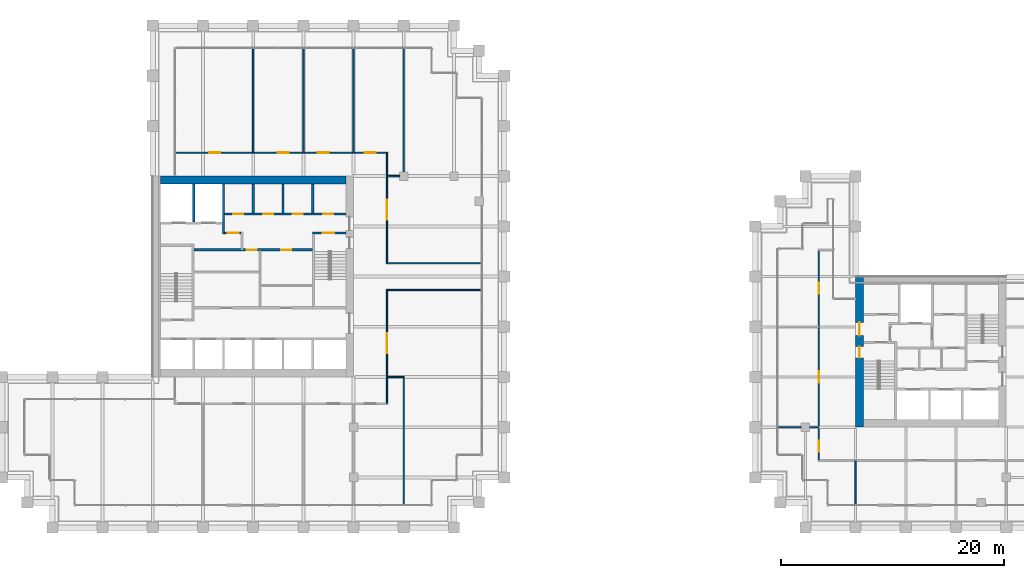
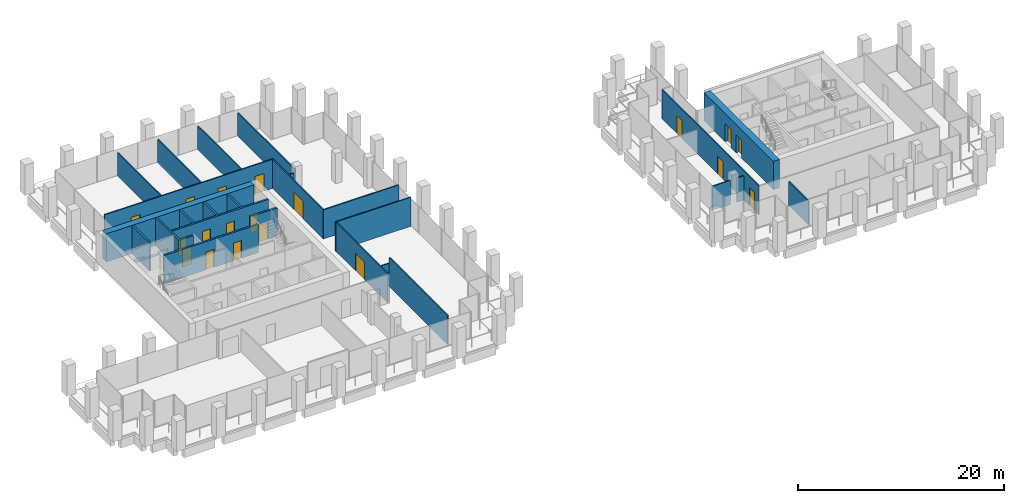
# One storey, part 42 of 46: 27 walls, 19 doors, 19 openings.
"""IFC4 building model written with IfcOpenShell, lengths in metres."""

from ifc_helpers import new_model, si_unit, direction, frame, frame_2d, origin, place, context, subcontext, project, spatial, rectangle, extrude, material, layer, layer_set, type_object, element, fill, save


model = new_model("IFC4")

# Units and contexts
model_context = context("Model", 3, precision=1e-05, world=origin(), true_north=direction((0.0, 1.0)))
body_context = subcontext(model_context, "Body", "Model", "MODEL_VIEW")
ifc_project = project(units=[si_unit("LENGTHUNIT", "METRE"), si_unit("AREAUNIT", "SQUARE_METRE"), si_unit("VOLUMEUNIT", "CUBIC_METRE"), si_unit("PLANEANGLEUNIT", "RADIAN"), si_unit("MASSUNIT", "GRAM", prefix="KILO")], contexts=[model_context])

# Site, building, storey
site_placement = place(None, origin())
site = spatial("IfcSite", under=ifc_project, at=site_placement, CompositionType="ELEMENT")
building_placement = place(site_placement, origin())
building = spatial("IfcBuilding", under=site, at=building_placement, Name="Altepetl Exchange Towers", CompositionType="ELEMENT")
storey_placement = place(building_placement, frame((0.0, 0.0, 124.39990234375)))
storey = spatial("IfcBuildingStorey", under=building, at=storey_placement, Name="L30", CompositionType="ELEMENT", Elevation=124.39990234375)

# Wall
ifc_material_1 = material(Name="Concrete C70/85", Category="concrete")
ifc_layer_1 = layer(ifc_material_1, 0.699951171875)
ifc_layer_set_1 = layer_set([ifc_layer_1], Name="Concrete C70/85")
wall_type_1 = type_object("IfcWallType", Name="Core wall 700 reinforced concrete", PredefinedType="SHEAR", material=ifc_layer_set_1)
wall_1_placement = place(storey_placement, frame((41.199951171875, 58.14990234375, 0.0)))
element("IfcWall", 1, at=wall_1_placement, inside=storey, type_object=wall_type_1, Name="wall:A:L30:K-coreN", PredefinedType="SHEAR", context=body_context, shape_type="SweptSolid", body=[
    extrude(rectangle(XDim=16.60009765625, YDim=0.699951171875, at=frame_2d((8.300048828125, 0.0))), origin(), (0.0, 0.0, 1.0), 3.35009765625),
])

# Wall, openings, doors
wall_2_placement = place(storey_placement, frame((103.85009765625, 36.0, 0.0), z_axis=(0.0, 0.0, 1.0), x_axis=(0.0, 1.0, 0.0)))
wall_2 = element("IfcWall", 2, at=wall_2_placement, inside=storey, type_object=wall_type_1, Name="wall:B:L30:K-coreW", PredefinedType="SHEAR", context=body_context, shape_type="SweptSolid", body=[
    extrude(rectangle(XDim=13.5, YDim=0.699951171875, at=frame_2d((6.75, 0.0))), origin(), (0.0, 0.0, 1.0), 3.35009765625),
])
opening_1_placement = place(wall_2_placement, frame((8.199951171875, 0.0, 0.0)))
opening_1 = element("IfcOpeningElement", 3, at=opening_1_placement, cuts=wall_2, Name="Opening L30.B60", PredefinedType="OPENING", context=body_context, shape_type="SweptSolid", body=[
    extrude(rectangle(XDim=1.199951171875, YDim=2.10009765625, at=frame_2d((0.60009765625, 1.050048828125))), frame((0.0, 0.35986328125, 0.0), z_axis=(0.0, -1.0, 0.0), x_axis=(1.0, 0.0, 0.0)), (0.0, 0.0, 1.0), 0.719970703125),
])
opening_2_placement = place(wall_2_placement, frame((6.22509765625, 0.0, 0.0)))
opening_2 = element("IfcOpeningElement", 4, at=opening_2_placement, cuts=wall_2, Name="Opening L30.B63", PredefinedType="OPENING", context=body_context, shape_type="SweptSolid", body=[
    extrude(rectangle(XDim=1.0, YDim=2.10009765625, at=frame_2d((0.5, 1.050048828125))), frame((0.0, 0.35986328125, 0.0), z_axis=(0.0, -1.0, 0.0), x_axis=(1.0, 0.0, 0.0)), (0.0, 0.0, 1.0), 0.719970703125),
])
ifc_material_2 = material(Name="Steel and timber fire door", Category="steel")
door_type_1 = type_object("IfcDoorType", Name="Fire door 1000 x 2100 stair and lobby", OperationType="SINGLE_SWING_LEFT", PredefinedType="DOOR", material=ifc_material_2)
door_1_placement = place(opening_2_placement, frame((1.0, 0.0, 0.0), x_axis=(-1.0, 0.0, 0.0)))
door_1 = element("IfcDoor", 5, at=door_1_placement, inside=storey, type_object=door_type_1, Name="door:B:L30:K-dS1x", OperationType="SINGLE_SWING_RIGHT", OverallHeight=2.10009765625, OverallWidth=1.0, PredefinedType="DOOR", context=body_context, shape_type="SweptSolid", body=[
    extrude(rectangle(XDim=1.0, YDim=2.10009765625, at=frame_2d((0.5, 1.050048828125))), frame((0.0, 0.02490234375, 0.0), z_axis=(0.0, -1.0, 0.0), x_axis=(1.0, 0.0, 0.0)), (0.0, 0.0, 1.0), 0.050048828125),
])
fill(opening_2, door_1)
door_type_2 = type_object("IfcDoorType", Name="Fire door 1200 x 2100 lobby entry", OperationType="SINGLE_SWING_LEFT", PredefinedType="DOOR", material=ifc_material_2)
door_2_placement = place(opening_1_placement, frame((1.199951171875, 0.0, 0.0), x_axis=(-1.0, 0.0, 0.0)))
door_2 = element("IfcDoor", 6, at=door_2_placement, inside=storey, type_object=door_type_2, Name="door:B:L30:K-dLNW", OperationType="SINGLE_SWING_RIGHT", OverallHeight=2.10009765625, OverallWidth=1.199951171875, PredefinedType="DOOR", context=body_context, shape_type="SweptSolid", body=[
    extrude(rectangle(XDim=1.199951171875, YDim=2.10009765625, at=frame_2d((0.60009765625, 1.050048828125))), frame((0.0, 0.02490234375, 0.0), z_axis=(0.0, -1.0, 0.0), x_axis=(1.0, 0.0, 0.0)), (0.0, 0.0, 1.0), 0.050048828125),
])
fill(opening_1, door_2)

# Wall, opening, door
ifc_material_3 = material(Name="Concrete blockwork", Category="masonry")
ifc_layer_2 = layer(ifc_material_3, 0.199951171875)
ifc_layer_set_2 = layer_set([ifc_layer_2], Name="Concrete blockwork")
wall_type_2 = type_object("IfcWallType", Name="Lobby wall 200 blockwork", PredefinedType="PARTITIONING", material=ifc_layer_set_2)
wall_3_placement = place(storey_placement, frame((46.933349609375, 53.39990234375, 0.0)))
wall_3 = element("IfcWall", 7, at=wall_3_placement, inside=storey, type_object=wall_type_2, Name="wall:A:L30:K-ffN", PredefinedType="PARTITIONING", context=body_context, shape_type="SweptSolid", body=[
    extrude(rectangle(XDim=1.466552734375, YDim=0.199951171875, at=frame_2d((0.7333984375, 0.0))), origin(), (0.0, 0.0, 1.0), 3.35009765625),
])
opening_3_placement = place(wall_3_placement, frame((0.2666015625, 0.0, 0.0)))
opening_3 = element("IfcOpeningElement", 8, at=opening_3_placement, cuts=wall_3, Name="Opening L30.A65", PredefinedType="OPENING", context=body_context, shape_type="SweptSolid", body=[
    extrude(rectangle(XDim=1.0, YDim=2.10009765625, at=frame_2d((0.5, 1.050048828125))), frame((0.0, 0.10986328125, 0.0), z_axis=(0.0, -1.0, 0.0), x_axis=(1.0, 0.0, 0.0)), (0.0, 0.0, 1.0), 0.219970703125),
])
door_3_placement = place(opening_3_placement, frame((1.0, 0.0, 0.0), x_axis=(-1.0, 0.0, 0.0)))
door_3 = element("IfcDoor", 9, at=door_3_placement, inside=storey, type_object=door_type_1, Name="door:A:L30:K-dffN", OperationType="SINGLE_SWING_RIGHT", OverallHeight=2.10009765625, OverallWidth=1.0, PredefinedType="DOOR", context=body_context, shape_type="SweptSolid", body=[
    extrude(rectangle(XDim=1.0, YDim=2.10009765625, at=frame_2d((0.5, 1.050048828125))), frame((0.0, 0.02490234375, 0.0), z_axis=(0.0, -1.0, 0.0), x_axis=(1.0, 0.0, 0.0)), (0.0, 0.0, 1.0), 0.050048828125),
])
fill(opening_3, door_3)

# Wall, openings, doors
wall_4_placement = place(storey_placement, frame((44.199951171875, 51.89990234375, 0.0)))
wall_4 = element("IfcWall", 10, at=wall_4_placement, inside=storey, type_object=wall_type_2, Name="wall:A:L30:K-zoneN", PredefinedType="PARTITIONING", context=body_context, shape_type="SweptSolid", body=[
    extrude(rectangle(XDim=10.60009765625, YDim=0.199951171875, at=frame_2d((5.300048828125, 0.0))), origin(), (0.0, 0.0, 1.0), 3.35009765625),
])
opening_4_placement = place(wall_4_placement, frame((4.72509765625, 0.0, 0.0)))
opening_4 = element("IfcOpeningElement", 11, at=opening_4_placement, cuts=wall_4, Name="Opening L30.A71", PredefinedType="OPENING", context=body_context, shape_type="SweptSolid", body=[
    extrude(rectangle(XDim=0.89990234375, YDim=2.10009765625, at=frame_2d((0.449951171875, 1.050048828125))), frame((0.0, 0.10986328125, 0.0), z_axis=(0.0, -1.0, 0.0), x_axis=(1.0, 0.0, 0.0)), (0.0, 0.0, 1.0), 0.219970703125),
])
opening_5_placement = place(wall_4_placement, frame((7.800048828125, 0.0, 0.0)))
opening_5 = element("IfcOpeningElement", 12, at=opening_5_placement, cuts=wall_4, Name="Opening L30.A73", PredefinedType="OPENING", context=body_context, shape_type="SweptSolid", body=[
    extrude(rectangle(XDim=0.89990234375, YDim=2.10009765625, at=frame_2d((0.449951171875, 1.050048828125))), frame((0.0, 0.10986328125, 0.0), z_axis=(0.0, -1.0, 0.0), x_axis=(1.0, 0.0, 0.0)), (0.0, 0.0, 1.0), 0.219970703125),
])
door_type_3 = type_object("IfcDoorType", Name="Fire door 900 x 2100 service room", OperationType="SINGLE_SWING_LEFT", PredefinedType="DOOR", material=ifc_material_2)
door_4_placement = place(opening_4_placement, frame((0.89990234375, 0.0, 0.0), x_axis=(-1.0, 0.0, 0.0)))
door_4 = element("IfcDoor", 13, at=door_4_placement, inside=storey, type_object=door_type_3, Name="door:A:L30:K-dz2", OperationType="SINGLE_SWING_RIGHT", OverallHeight=2.10009765625, OverallWidth=0.89990234375, PredefinedType="DOOR", context=body_context, shape_type="SweptSolid", body=[
    extrude(rectangle(XDim=0.89990234375, YDim=2.10009765625, at=frame_2d((0.449951171875, 1.050048828125))), frame((0.0, 0.02490234375, 0.0), z_axis=(0.0, -1.0, 0.0), x_axis=(1.0, 0.0, 0.0)), (0.0, 0.0, 1.0), 0.050048828125),
])
fill(opening_4, door_4)
door_5_placement = place(opening_5_placement, frame((0.89990234375, 0.0, 0.0), x_axis=(-1.0, 0.0, 0.0)))
door_5 = element("IfcDoor", 14, at=door_5_placement, inside=storey, type_object=door_type_3, Name="door:A:L30:K-dz4", OperationType="SINGLE_SWING_LEFT", OverallHeight=2.10009765625, OverallWidth=0.89990234375, PredefinedType="DOOR", context=body_context, shape_type="SweptSolid", body=[
    extrude(rectangle(XDim=0.89990234375, YDim=2.10009765625, at=frame_2d((0.449951171875, 1.050048828125))), frame((0.0, 0.02490234375, 0.0), z_axis=(0.0, -1.0, 0.0), x_axis=(1.0, 0.0, 0.0)), (0.0, 0.0, 1.0), 0.050048828125),
])
fill(opening_5, door_5)

# Walls
ifc_material_4 = material(Name="Gypsum board on steel studs", Category="steel")
ifc_layer_3 = layer(ifc_material_4, 0.125)
ifc_layer_set_3 = layer_set([ifc_layer_3], Name="Gypsum board on steel studs")
wall_type_3 = type_object("IfcWallType", Name="Partition 125 gypsum board on steel studs", PredefinedType="PARTITIONING", material=ifc_layer_set_3)
wall_5_placement = place(storey_placement, frame((61.5, 40.5, 0.0)))
element("IfcWall", 15, at=wall_5_placement, inside=storey, type_object=wall_type_3, Name="wall:A:L30:P02", PredefinedType="PARTITIONING", context=body_context, shape_type="SweptSolid", body=[
    extrude(rectangle(XDim=1.5625, YDim=0.125, at=frame_2d((0.78125, 0.0))), origin(), (0.0, 0.0, 1.0), 2.76611328125),
])
for number, where, name in (
    (16, (61.4375, 48.300048828125, 0.0), "wall:A:L30:P03"),
    (17, (61.4375, 50.699951171875, 0.0), "wall:A:L30:P04"),
):
    element("IfcWall", number, at=place(storey_placement, frame(where)), inside=storey, type_object=wall_type_3, Name=name, PredefinedType="PARTITIONING", context=body_context, shape_type="SweptSolid", body=[
        extrude(rectangle(XDim=8.46240234375, YDim=0.125, at=frame_2d((4.231201171875, 0.0))), origin(), (0.0, 0.0, 1.0), 3.4501953125),
    ])
wall_6_placement = place(storey_placement, frame((61.5, 58.5, 0.0)))
element("IfcWall", 18, at=wall_6_placement, inside=storey, type_object=wall_type_3, Name="wall:A:L30:P05", PredefinedType="PARTITIONING", context=body_context, shape_type="SweptSolid", body=[
    extrude(rectangle(XDim=1.125, YDim=0.125, at=frame_2d((0.5625, 0.0))), origin(), (0.0, 0.0, 1.0), 2.676025390625),
])

# Wall, openings, doors
wall_7_placement = place(storey_placement, frame((42.60009765625, 60.60009765625, 0.0)))
wall_7 = element("IfcWall", 19, at=wall_7_placement, inside=storey, type_object=wall_type_3, Name="wall:A:L30:P06", PredefinedType="PARTITIONING", context=body_context, shape_type="SweptSolid", body=[
    extrude(rectangle(XDim=18.96240234375, YDim=0.125, at=frame_2d((9.481201171875, 0.0))), origin(), (0.0, 0.0, 1.0), 3.4501953125),
])
opening_6_placement = place(wall_7_placement, frame((16.89990234375, 0.0, 0.0)))
opening_6 = element("IfcOpeningElement", 20, at=opening_6_placement, cuts=wall_7, Name="Opening L30.A07", PredefinedType="OPENING", context=body_context, shape_type="SweptSolid", body=[
    extrude(rectangle(XDim=1.0, YDim=2.10009765625, at=frame_2d((0.5, 1.050048828125))), frame((0.0, 0.072509765625, 0.0), z_axis=(0.0, -1.0, 0.0), x_axis=(1.0, 0.0, 0.0)), (0.0, 0.0, 1.0), 0.14501953125),
])
opening_7_placement = place(wall_7_placement, frame((12.695068359375, 0.0, 0.0)))
opening_7 = element("IfcOpeningElement", 21, at=opening_7_placement, cuts=wall_7, Name="Opening L30.A08", PredefinedType="OPENING", context=body_context, shape_type="SweptSolid", body=[
    extrude(rectangle(XDim=1.0, YDim=2.10009765625, at=frame_2d((0.5, 1.050048828125))), frame((0.0, 0.072509765625, 0.0), z_axis=(0.0, -1.0, 0.0), x_axis=(1.0, 0.0, 0.0)), (0.0, 0.0, 1.0), 0.14501953125),
])
opening_8_placement = place(wall_7_placement, frame((9.10498046875, 0.0, 0.0)))
opening_8 = element("IfcOpeningElement", 22, at=opening_8_placement, cuts=wall_7, Name="Opening L30.A09", PredefinedType="OPENING", context=body_context, shape_type="SweptSolid", body=[
    extrude(rectangle(XDim=1.0, YDim=2.10009765625, at=frame_2d((0.5, 1.050048828125))), frame((0.0, 0.072509765625, 0.0), z_axis=(0.0, -1.0, 0.0), x_axis=(1.0, 0.0, 0.0)), (0.0, 0.0, 1.0), 0.14501953125),
])
opening_9_placement = place(wall_7_placement, frame((2.949951171875, 0.0, 0.0)))
opening_9 = element("IfcOpeningElement", 23, at=opening_9_placement, cuts=wall_7, Name="Opening L30.A10", PredefinedType="OPENING", context=body_context, shape_type="SweptSolid", body=[
    extrude(rectangle(XDim=1.0, YDim=2.10009765625, at=frame_2d((0.5, 1.050048828125))), frame((0.0, 0.072509765625, 0.0), z_axis=(0.0, -1.0, 0.0), x_axis=(1.0, 0.0, 0.0)), (0.0, 0.0, 1.0), 0.14501953125),
])
door_type_4 = type_object("IfcDoorType", Name="Fire door 1000 x 2100 single leaf", OperationType="SINGLE_SWING_LEFT", PredefinedType="DOOR", material=ifc_material_2)
door_6_placement = place(opening_6_placement, origin())
door_6 = element("IfcDoor", 24, at=door_6_placement, inside=storey, type_object=door_type_4, Name="door:A:L30:07", OperationType="SINGLE_SWING_RIGHT", OverallHeight=2.10009765625, OverallWidth=1.0, PredefinedType="DOOR", context=body_context, shape_type="SweptSolid", body=[
    extrude(rectangle(XDim=1.0, YDim=2.10009765625, at=frame_2d((0.5, 1.050048828125))), frame((0.0, 0.02490234375, 0.0), z_axis=(0.0, -1.0, 0.0), x_axis=(1.0, 0.0, 0.0)), (0.0, 0.0, 1.0), 0.050048828125),
])
fill(opening_6, door_6)
door_7_placement = place(opening_7_placement, origin())
door_7 = element("IfcDoor", 25, at=door_7_placement, inside=storey, type_object=door_type_4, Name="door:A:L30:08", OperationType="SINGLE_SWING_LEFT", OverallHeight=2.10009765625, OverallWidth=1.0, PredefinedType="DOOR", context=body_context, shape_type="SweptSolid", body=[
    extrude(rectangle(XDim=1.0, YDim=2.10009765625, at=frame_2d((0.5, 1.050048828125))), frame((0.0, 0.02490234375, 0.0), z_axis=(0.0, -1.0, 0.0), x_axis=(1.0, 0.0, 0.0)), (0.0, 0.0, 1.0), 0.050048828125),
])
fill(opening_7, door_7)
door_8_placement = place(opening_8_placement, origin())
door_8 = element("IfcDoor", 26, at=door_8_placement, inside=storey, type_object=door_type_4, Name="door:A:L30:09", OperationType="SINGLE_SWING_RIGHT", OverallHeight=2.10009765625, OverallWidth=1.0, PredefinedType="DOOR", context=body_context, shape_type="SweptSolid", body=[
    extrude(rectangle(XDim=1.0, YDim=2.10009765625, at=frame_2d((0.5, 1.050048828125))), frame((0.0, 0.02490234375, 0.0), z_axis=(0.0, -1.0, 0.0), x_axis=(1.0, 0.0, 0.0)), (0.0, 0.0, 1.0), 0.050048828125),
])
fill(opening_8, door_8)
door_9_placement = place(opening_9_placement, origin())
door_9 = element("IfcDoor", 27, at=door_9_placement, inside=storey, type_object=door_type_4, Name="door:A:L30:10", OperationType="SINGLE_SWING_RIGHT", OverallHeight=2.10009765625, OverallWidth=1.0, PredefinedType="DOOR", context=body_context, shape_type="SweptSolid", body=[
    extrude(rectangle(XDim=1.0, YDim=2.10009765625, at=frame_2d((0.5, 1.050048828125))), frame((0.0, 0.02490234375, 0.0), z_axis=(0.0, -1.0, 0.0), x_axis=(1.0, 0.0, 0.0)), (0.0, 0.0, 1.0), 0.050048828125),
])
fill(opening_9, door_9)

# Walls
for number, where, z_axis, x_axis, name in (
    (28, (49.5, 60.60009765625, 0.0), (0.0, 0.0, 1.0), (0.0, 1.0, 0.0), "wall:A:L30:P09"),
    (29, (54.0, 60.60009765625, 0.0), (0.0, 0.0, 1.0), (0.0, 1.0, 0.0), "wall:A:L30:P11"),
    (30, (58.5, 60.60009765625, 0.0), (0.0, 0.0, 1.0), (0.0, 1.0, 0.0), "wall:A:L30:P15"),
):
    element("IfcWall", number, at=place(storey_placement, frame(where, z_axis=z_axis, x_axis=x_axis)), inside=storey, type_object=wall_type_3, Name=name, PredefinedType="PARTITIONING", context=body_context, shape_type="SweptSolid", body=[
        extrude(rectangle(XDim=9.2998046875, YDim=0.125, at=frame_2d((4.64990234375, 0.0))), origin(), (0.0, 0.0, 1.0), 2.76611328125),
    ])

# Wall, opening, door
wall_8_placement = place(storey_placement, frame((61.5, 38.16259765625, 0.0), z_axis=(0.0, 0.0, 1.0), x_axis=(0.0, 1.0, 0.0)))
wall_8 = element("IfcWall", 31, at=wall_8_placement, inside=storey, type_object=wall_type_3, Name="wall:A:L30:P16", PredefinedType="PARTITIONING", context=body_context, shape_type="SweptSolid", body=[
    extrude(rectangle(XDim=10.074951171875, YDim=0.125, at=frame_2d((5.03759765625, 0.0))), origin(), (0.0, 0.0, 1.0), 3.4501953125),
])
opening_10_placement = place(wall_8_placement, frame((4.445556640625, 0.0, 0.0)))
opening_10 = element("IfcOpeningElement", 32, at=opening_10_placement, cuts=wall_8, Name="Opening L30.A05", PredefinedType="OPENING", context=body_context, shape_type="SweptSolid", body=[
    extrude(rectangle(XDim=1.800048828125, YDim=2.10009765625, at=frame_2d((0.89990234375, 1.050048828125))), frame((0.0, 0.072509765625, 0.0), z_axis=(0.0, -1.0, 0.0), x_axis=(1.0, 0.0, 0.0)), (0.0, 0.0, 1.0), 0.14501953125),
])
door_type_5 = type_object("IfcDoorType", Name="Fire door 1800 x 2100 double leaf", OperationType="DOUBLE_DOOR_SINGLE_SWING", PredefinedType="DOOR", material=ifc_material_2)
door_10_placement = place(opening_10_placement, frame((1.800048828125, 0.0, 0.0), x_axis=(-1.0, 0.0, 0.0)))
door_10 = element("IfcDoor", 33, at=door_10_placement, inside=storey, type_object=door_type_5, Name="door:A:L30:05", OperationType="DOUBLE_DOOR_SINGLE_SWING", OverallHeight=2.10009765625, OverallWidth=1.800048828125, PredefinedType="DOOR", context=body_context, shape_type="SweptSolid", body=[
    extrude(rectangle(XDim=1.800048828125, YDim=2.10009765625, at=frame_2d((0.89990234375, 1.050048828125))), frame((0.0, 0.02490234375, 0.0), z_axis=(0.0, -1.0, 0.0), x_axis=(1.0, 0.0, 0.0)), (0.0, 0.0, 1.0), 0.050048828125),
])
fill(opening_10, door_10)

wall_9_placement = place(storey_placement, frame((61.5, 50.762451171875, 0.0), z_axis=(0.0, 0.0, 1.0), x_axis=(0.0, 1.0, 0.0)))
wall_9 = element("IfcWall", 34, at=wall_9_placement, inside=storey, type_object=wall_type_3, Name="wall:A:L30:P17", PredefinedType="PARTITIONING", context=body_context, shape_type="SweptSolid", body=[
    extrude(rectangle(XDim=9.775146484375, YDim=0.125, at=frame_2d((4.8876953125, 0.0))), origin(), (0.0, 0.0, 1.0), 3.4501953125),
])
opening_11_placement = place(wall_9_placement, frame((3.82958984375, 0.0, 0.0)))
opening_11 = element("IfcOpeningElement", 35, at=opening_11_placement, cuts=wall_9, Name="Opening L30.A06", PredefinedType="OPENING", context=body_context, shape_type="SweptSolid", body=[
    extrude(rectangle(XDim=1.800048828125, YDim=2.10009765625, at=frame_2d((0.89990234375, 1.050048828125))), frame((0.0, 0.072509765625, 0.0), z_axis=(0.0, -1.0, 0.0), x_axis=(1.0, 0.0, 0.0)), (0.0, 0.0, 1.0), 0.14501953125),
])
door_11_placement = place(opening_11_placement, frame((1.800048828125, 0.0, 0.0), x_axis=(-1.0, 0.0, 0.0)))
door_11 = element("IfcDoor", 36, at=door_11_placement, inside=storey, type_object=door_type_5, Name="door:A:L30:06", OperationType="DOUBLE_DOOR_SINGLE_SWING", OverallHeight=2.10009765625, OverallWidth=1.800048828125, PredefinedType="DOOR", context=body_context, shape_type="SweptSolid", body=[
    extrude(rectangle(XDim=1.800048828125, YDim=2.10009765625, at=frame_2d((0.89990234375, 1.050048828125))), frame((0.0, 0.02490234375, 0.0), z_axis=(0.0, -1.0, 0.0), x_axis=(1.0, 0.0, 0.0)), (0.0, 0.0, 1.0), 0.050048828125),
])
fill(opening_11, door_11)

# Walls
wall_10_placement = place(storey_placement, frame((63.0, 29.10009765625, 0.0), z_axis=(0.0, 0.0, 1.0), x_axis=(0.0, 1.0, 0.0)))
element("IfcWall", 37, at=wall_10_placement, inside=storey, type_object=wall_type_3, Name="wall:A:L30:P18", PredefinedType="PARTITIONING", context=body_context, shape_type="SweptSolid", body=[
    extrude(rectangle(XDim=11.33740234375, YDim=0.125, at=frame_2d((5.668701171875, 0.0))), origin(), (0.0, 0.0, 1.0), 3.4501953125),
])
wall_11_placement = place(storey_placement, frame((63.0, 58.875, 0.0), z_axis=(0.0, 0.0, 1.0), x_axis=(0.0, 1.0, 0.0)))
element("IfcWall", 38, at=wall_11_placement, inside=storey, type_object=wall_type_3, Name="wall:A:L30:P19", PredefinedType="PARTITIONING", context=body_context, shape_type="SweptSolid", body=[
    extrude(rectangle(XDim=11.02490234375, YDim=0.125, at=frame_2d((5.512451171875, 0.0))), origin(), (0.0, 0.0, 1.0), 2.76611328125),
])
wall_12_placement = place(storey_placement, frame((96.60009765625, 36.0, 0.0)))
element("IfcWall", 39, at=wall_12_placement, inside=storey, type_object=wall_type_3, Name="wall:B:L30:P02", PredefinedType="PARTITIONING", context=body_context, shape_type="SweptSolid", body=[
    extrude(rectangle(XDim=2.02490234375, YDim=0.125, at=frame_2d((1.012451171875, 0.0))), origin(), (0.0, 0.0, 1.0), 2.842041015625),
])
wall_13_placement = place(storey_placement, frame((99.375, 36.0, 0.0)))
element("IfcWall", 40, at=wall_13_placement, inside=storey, type_object=wall_type_3, Name="wall:B:L30:P03", PredefinedType="PARTITIONING", context=body_context, shape_type="SweptSolid", body=[
    extrude(rectangle(XDim=0.824951171875, YDim=0.125, at=frame_2d((0.41259765625, 0.0))), origin(), (0.0, 0.0, 1.0), 2.842041015625),
])

# Wall, openings, doors
wall_14_placement = place(storey_placement, frame((100.199951171875, 33.0625, 0.0), z_axis=(0.0, 0.0, 1.0), x_axis=(0.0, 1.0, 0.0)))
wall_14 = element("IfcWall", 41, at=wall_14_placement, inside=storey, type_object=wall_type_3, Name="wall:B:L30:P07", PredefinedType="PARTITIONING", context=body_context, shape_type="SweptSolid", body=[
    extrude(rectangle(XDim=18.77490234375, YDim=0.125, at=frame_2d((9.387451171875, 0.0))), origin(), (0.0, 0.0, 1.0), 3.4501953125),
])
opening_12_placement = place(wall_14_placement, frame((6.9375, 0.0, 0.0)))
opening_12 = element("IfcOpeningElement", 42, at=opening_12_placement, cuts=wall_14, Name="Opening L30.B01", PredefinedType="OPENING", context=body_context, shape_type="SweptSolid", body=[
    extrude(rectangle(XDim=1.0, YDim=2.10009765625, at=frame_2d((0.5, 1.050048828125))), frame((0.0, 0.072509765625, 0.0), z_axis=(0.0, -1.0, 0.0), x_axis=(1.0, 0.0, 0.0)), (0.0, 0.0, 1.0), 0.14501953125),
])
opening_13_placement = place(wall_14_placement, frame((0.744384765625, 0.0, 0.0)))
opening_13 = element("IfcOpeningElement", 43, at=opening_13_placement, cuts=wall_14, Name="Opening L30.B02", PredefinedType="OPENING", context=body_context, shape_type="SweptSolid", body=[
    extrude(rectangle(XDim=1.0, YDim=2.10009765625, at=frame_2d((0.5, 1.050048828125))), frame((0.0, 0.072509765625, 0.0), z_axis=(0.0, -1.0, 0.0), x_axis=(1.0, 0.0, 0.0)), (0.0, 0.0, 1.0), 0.14501953125),
])
opening_14_placement = place(wall_14_placement, frame((14.887451171875, 0.0, 0.0)))
opening_14 = element("IfcOpeningElement", 44, at=opening_14_placement, cuts=wall_14, Name="Opening L30.B07", PredefinedType="OPENING", context=body_context, shape_type="SweptSolid", body=[
    extrude(rectangle(XDim=1.0, YDim=2.10009765625, at=frame_2d((0.5, 1.050048828125))), frame((0.0, 0.072509765625, 0.0), z_axis=(0.0, -1.0, 0.0), x_axis=(1.0, 0.0, 0.0)), (0.0, 0.0, 1.0), 0.14501953125),
])
door_12_placement = place(opening_12_placement, origin())
door_12 = element("IfcDoor", 45, at=door_12_placement, inside=storey, type_object=door_type_4, Name="door:B:L30:01", OperationType="SINGLE_SWING_RIGHT", OverallHeight=2.10009765625, OverallWidth=1.0, PredefinedType="DOOR", context=body_context, shape_type="SweptSolid", body=[
    extrude(rectangle(XDim=1.0, YDim=2.10009765625, at=frame_2d((0.5, 1.050048828125))), frame((0.0, 0.02490234375, 0.0), z_axis=(0.0, -1.0, 0.0), x_axis=(1.0, 0.0, 0.0)), (0.0, 0.0, 1.0), 0.050048828125),
])
fill(opening_12, door_12)
door_13_placement = place(opening_13_placement, frame((1.0, 0.0, 0.0), x_axis=(-1.0, 0.0, 0.0)))
door_13 = element("IfcDoor", 46, at=door_13_placement, inside=storey, type_object=door_type_4, Name="door:B:L30:02", OperationType="SINGLE_SWING_RIGHT", OverallHeight=2.10009765625, OverallWidth=1.0, PredefinedType="DOOR", context=body_context, shape_type="SweptSolid", body=[
    extrude(rectangle(XDim=1.0, YDim=2.10009765625, at=frame_2d((0.5, 1.050048828125))), frame((0.0, 0.02490234375, 0.0), z_axis=(0.0, -1.0, 0.0), x_axis=(1.0, 0.0, 0.0)), (0.0, 0.0, 1.0), 0.050048828125),
])
fill(opening_13, door_13)
door_14_placement = place(opening_14_placement, origin())
door_14 = element("IfcDoor", 47, at=door_14_placement, inside=storey, type_object=door_type_4, Name="door:B:L30:07", OperationType="SINGLE_SWING_LEFT", OverallHeight=2.10009765625, OverallWidth=1.0, PredefinedType="DOOR", context=body_context, shape_type="SweptSolid", body=[
    extrude(rectangle(XDim=1.0, YDim=2.10009765625, at=frame_2d((0.5, 1.050048828125))), frame((0.0, 0.02490234375, 0.0), z_axis=(0.0, -1.0, 0.0), x_axis=(1.0, 0.0, 0.0)), (0.0, 0.0, 1.0), 0.050048828125),
])
fill(opening_14, door_14)

# Walls
wall_15_placement = place(storey_placement, frame((103.5, 29.10009765625, 0.0), z_axis=(0.0, 0.0, 1.0), x_axis=(0.0, 1.0, 0.0)))
element("IfcWall", 48, at=wall_15_placement, inside=storey, type_object=wall_type_3, Name="wall:B:L30:P08", PredefinedType="PARTITIONING", context=body_context, shape_type="SweptSolid", body=[
    extrude(rectangle(XDim=3.89990234375, YDim=0.125, at=frame_2d((1.949951171875, 0.0))), origin(), (0.0, 0.0, 1.0), 2.85107421875),
])
ifc_material_5 = material(Name="Concrete C40/50", Category="concrete")
ifc_layer_4 = layer(ifc_material_5, 0.199951171875)
ifc_layer_set_4 = layer_set([ifc_layer_4], Name="Concrete C40/50")
wall_type_4 = type_object("IfcWallType", Name="Shaft wall 200 reinforced concrete", PredefinedType="SHEAR", material=ifc_layer_set_4)
wall_16_placement = place(storey_placement, frame((44.166748046875, 57.800048828125, 0.0), z_axis=(0.0, 0.0, 1.0), x_axis=(0.0, -1.0, 0.0)))
element("IfcWall", 49, at=wall_16_placement, inside=storey, type_object=wall_type_4, Name="wall:A:L30:K-divN1", PredefinedType="SHEAR", context=body_context, shape_type="SweptSolid", body=[
    extrude(rectangle(XDim=3.400146484375, YDim=0.199951171875, at=frame_2d((1.7001953125, 0.0))), origin(), (0.0, 0.0, 1.0), 3.35009765625),
])
wall_17_placement = place(storey_placement, frame((46.833251953125, 57.800048828125, 0.0), z_axis=(0.0, 0.0, 1.0), x_axis=(0.0, -1.0, 0.0)))
element("IfcWall", 50, at=wall_17_placement, inside=storey, type_object=wall_type_4, Name="wall:A:L30:K-divN2", PredefinedType="SHEAR", context=body_context, shape_type="SweptSolid", body=[
    extrude(rectangle(XDim=4.5, YDim=0.199951171875, at=frame_2d((2.25, 0.0))), origin(), (0.0, 0.0, 1.0), 3.35009765625),
])
for number, where, z_axis, x_axis, name in (
    (51, (49.5, 57.800048828125, 0.0), (0.0, 0.0, 1.0), (0.0, -1.0, 0.0), "wall:A:L30:K-divN3"),
    (52, (52.166748046875, 57.800048828125, 0.0), (0.0, 0.0, 1.0), (0.0, -1.0, 0.0), "wall:A:L30:K-divN4"),
    (53, (54.833251953125, 57.800048828125, 0.0), (0.0, 0.0, 1.0), (0.0, -1.0, 0.0), "wall:A:L30:K-divN5"),
):
    element("IfcWall", number, at=place(storey_placement, frame(where, z_axis=z_axis, x_axis=x_axis)), inside=storey, type_object=wall_type_4, Name=name, PredefinedType="SHEAR", context=body_context, shape_type="SweptSolid", body=[
        extrude(rectangle(XDim=2.60009765625, YDim=0.199951171875, at=frame_2d((1.300048828125, 0.0))), origin(), (0.0, 0.0, 1.0), 3.35009765625),
    ])

# Wall, openings, doors
wall_18_placement = place(storey_placement, frame((46.933349609375, 55.10009765625, 0.0)))
wall_18 = element("IfcWall", 54, at=wall_18_placement, inside=storey, type_object=wall_type_4, Name="wall:A:L30:K-frontNb", PredefinedType="SHEAR", context=body_context, shape_type="SweptSolid", body=[
    extrude(rectangle(XDim=10.86669921875, YDim=0.199951171875, at=frame_2d((5.433349609375, 0.0))), origin(), (0.0, 0.0, 1.0), 3.35009765625),
])
opening_15_placement = place(wall_18_placement, frame((8.83349609375, 0.0, 0.0)))
opening_15 = element("IfcOpeningElement", 55, at=opening_15_placement, cuts=wall_18, Name="Opening L30.A66", PredefinedType="OPENING", context=body_context, shape_type="SweptSolid", body=[
    extrude(rectangle(XDim=0.89990234375, YDim=2.10009765625, at=frame_2d((0.449951171875, 1.050048828125))), frame((0.0, 0.10986328125, 0.0), z_axis=(0.0, -1.0, 0.0), x_axis=(1.0, 0.0, 0.0)), (0.0, 0.0, 1.0), 0.219970703125),
])
opening_16_placement = place(wall_18_placement, frame((0.783447265625, 0.0, 0.0)))
opening_16 = element("IfcOpeningElement", 56, at=opening_16_placement, cuts=wall_18, Name="Opening L30.A67", PredefinedType="OPENING", context=body_context, shape_type="SweptSolid", body=[
    extrude(rectangle(XDim=0.89990234375, YDim=2.10009765625, at=frame_2d((0.449951171875, 1.050048828125))), frame((0.0, 0.10986328125, 0.0), z_axis=(0.0, -1.0, 0.0), x_axis=(1.0, 0.0, 0.0)), (0.0, 0.0, 1.0), 0.219970703125),
])
opening_17_placement = place(wall_18_placement, frame((3.449951171875, 0.0, 0.0)))
opening_17 = element("IfcOpeningElement", 57, at=opening_17_placement, cuts=wall_18, Name="Opening L30.A68", PredefinedType="OPENING", context=body_context, shape_type="SweptSolid", body=[
    extrude(rectangle(XDim=0.89990234375, YDim=2.10009765625, at=frame_2d((0.449951171875, 1.050048828125))), frame((0.0, 0.10986328125, 0.0), z_axis=(0.0, -1.0, 0.0), x_axis=(1.0, 0.0, 0.0)), (0.0, 0.0, 1.0), 0.219970703125),
])
opening_18_placement = place(wall_18_placement, frame((6.11669921875, 0.0, 0.0)))
opening_18 = element("IfcOpeningElement", 58, at=opening_18_placement, cuts=wall_18, Name="Opening L30.A69", PredefinedType="OPENING", context=body_context, shape_type="SweptSolid", body=[
    extrude(rectangle(XDim=0.89990234375, YDim=2.10009765625, at=frame_2d((0.449951171875, 1.050048828125))), frame((0.0, 0.10986328125, 0.0), z_axis=(0.0, -1.0, 0.0), x_axis=(1.0, 0.0, 0.0)), (0.0, 0.0, 1.0), 0.219970703125),
])
door_15_placement = place(opening_15_placement, origin())
door_15 = element("IfcDoor", 59, at=door_15_placement, inside=storey, type_object=door_type_3, Name="door:A:L30:K-driser", OperationType="SINGLE_SWING_RIGHT", OverallHeight=2.10009765625, OverallWidth=0.89990234375, PredefinedType="DOOR", context=body_context, shape_type="SweptSolid", body=[
    extrude(rectangle(XDim=0.89990234375, YDim=2.10009765625, at=frame_2d((0.449951171875, 1.050048828125))), frame((0.0, 0.02490234375, 0.0), z_axis=(0.0, -1.0, 0.0), x_axis=(1.0, 0.0, 0.0)), (0.0, 0.0, 1.0), 0.050048828125),
])
fill(opening_15, door_15)
door_16_placement = place(opening_16_placement, origin())
door_16 = element("IfcDoor", 60, at=door_16_placement, inside=storey, type_object=door_type_3, Name="door:A:L30:K-dslotN2", OperationType="SINGLE_SWING_RIGHT", OverallHeight=2.10009765625, OverallWidth=0.89990234375, PredefinedType="DOOR", context=body_context, shape_type="SweptSolid", body=[
    extrude(rectangle(XDim=0.89990234375, YDim=2.10009765625, at=frame_2d((0.449951171875, 1.050048828125))), frame((0.0, 0.02490234375, 0.0), z_axis=(0.0, -1.0, 0.0), x_axis=(1.0, 0.0, 0.0)), (0.0, 0.0, 1.0), 0.050048828125),
])
fill(opening_16, door_16)
door_17_placement = place(opening_17_placement, origin())
door_17 = element("IfcDoor", 61, at=door_17_placement, inside=storey, type_object=door_type_3, Name="door:A:L30:K-dslotN3", OperationType="SINGLE_SWING_RIGHT", OverallHeight=2.10009765625, OverallWidth=0.89990234375, PredefinedType="DOOR", context=body_context, shape_type="SweptSolid", body=[
    extrude(rectangle(XDim=0.89990234375, YDim=2.10009765625, at=frame_2d((0.449951171875, 1.050048828125))), frame((0.0, 0.02490234375, 0.0), z_axis=(0.0, -1.0, 0.0), x_axis=(1.0, 0.0, 0.0)), (0.0, 0.0, 1.0), 0.050048828125),
])
fill(opening_17, door_17)
door_18_placement = place(opening_18_placement, origin())
door_18 = element("IfcDoor", 62, at=door_18_placement, inside=storey, type_object=door_type_3, Name="door:A:L30:K-dslotN4", OperationType="SINGLE_SWING_RIGHT", OverallHeight=2.10009765625, OverallWidth=0.89990234375, PredefinedType="DOOR", context=body_context, shape_type="SweptSolid", body=[
    extrude(rectangle(XDim=0.89990234375, YDim=2.10009765625, at=frame_2d((0.449951171875, 1.050048828125))), frame((0.0, 0.02490234375, 0.0), z_axis=(0.0, -1.0, 0.0), x_axis=(1.0, 0.0, 0.0)), (0.0, 0.0, 1.0), 0.050048828125),
])
fill(opening_18, door_18)

# Wall, opening, door
ifc_layer_5 = layer(ifc_material_5, 0.199951171875)
ifc_layer_set_5 = layer_set([ifc_layer_5], Name="Concrete C40/50")
wall_type_5 = type_object("IfcWallType", Name="Stair wall 200 reinforced concrete", PredefinedType="SHEAR", material=ifc_layer_set_5)
wall_19_placement = place(storey_placement, frame((54.800048828125, 53.39990234375, 0.0)))
wall_19 = element("IfcWall", 63, at=wall_19_placement, inside=storey, type_object=wall_type_5, Name="wall:A:L30:K-stS2N", PredefinedType="SHEAR", context=body_context, shape_type="SweptSolid", body=[
    extrude(rectangle(XDim=3.0, YDim=0.199951171875, at=frame_2d((1.5, 0.0))), origin(), (0.0, 0.0, 1.0), 3.35009765625),
])
opening_19_placement = place(wall_19_placement, frame((0.949951171875, 0.0, 0.0)))
opening_19 = element("IfcOpeningElement", 64, at=opening_19_placement, cuts=wall_19, Name="Opening L30.A63", PredefinedType="OPENING", context=body_context, shape_type="SweptSolid", body=[
    extrude(rectangle(XDim=1.0, YDim=2.10009765625, at=frame_2d((0.5, 1.050048828125))), frame((0.0, 0.10986328125, 0.0), z_axis=(0.0, -1.0, 0.0), x_axis=(1.0, 0.0, 0.0)), (0.0, 0.0, 1.0), 0.219970703125),
])
door_19_placement = place(opening_19_placement, frame((1.0, 0.0, 0.0), x_axis=(-1.0, 0.0, 0.0)))
door_19 = element("IfcDoor", 65, at=door_19_placement, inside=storey, type_object=door_type_1, Name="door:A:L30:K-dS2in", OperationType="SINGLE_SWING_LEFT", OverallHeight=2.10009765625, OverallWidth=1.0, PredefinedType="DOOR", context=body_context, shape_type="SweptSolid", body=[
    extrude(rectangle(XDim=1.0, YDim=2.10009765625, at=frame_2d((0.5, 1.050048828125))), frame((0.0, 0.02490234375, 0.0), z_axis=(0.0, -1.0, 0.0), x_axis=(1.0, 0.0, 0.0)), (0.0, 0.0, 1.0), 0.050048828125),
])
fill(opening_19, door_19)

save(model, "model.ifc")
